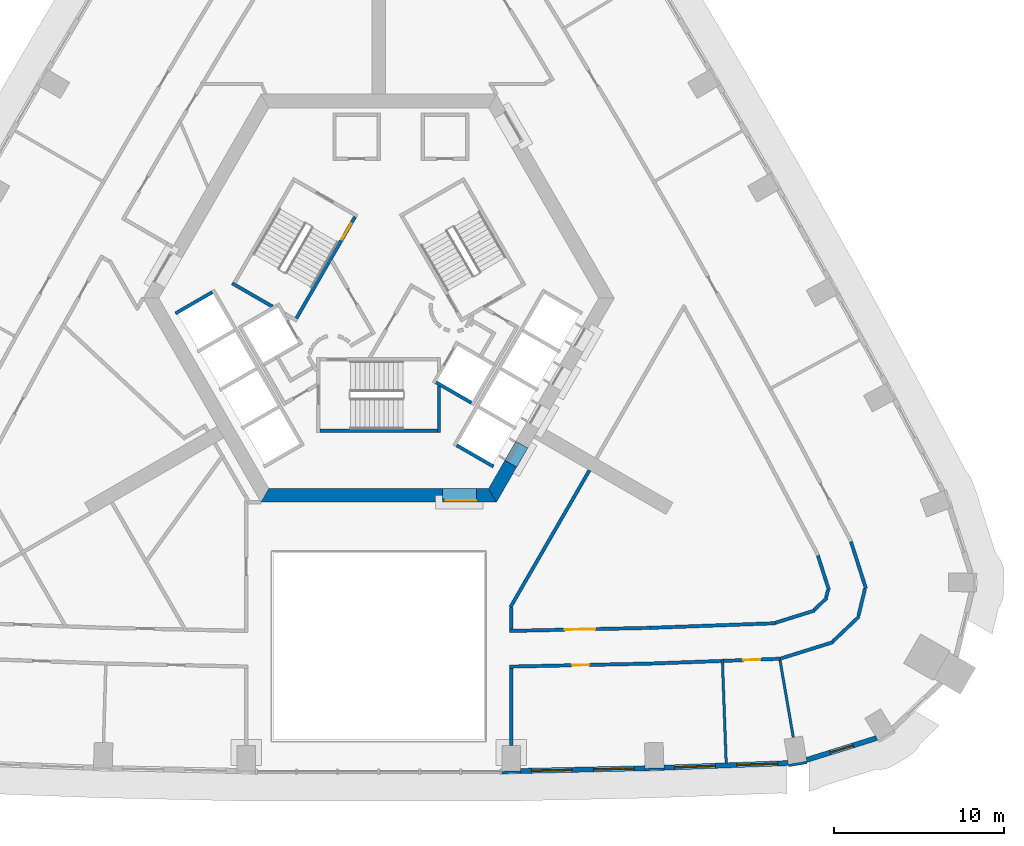
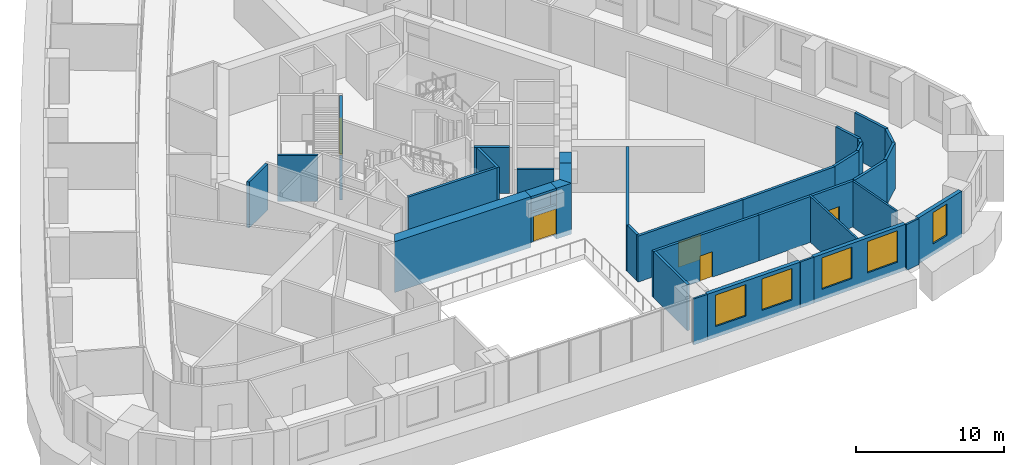
# One storey, part 6 of 17: 37 walls, 5 doors, 5 windows, 10 openings.
"""IFC4 building model written with IfcOpenShell, lengths in metres."""

from ifc_helpers import new_model, si_unit, direction, frame, frame_2d, origin, place, context, subcontext, project, spatial, polyline, rectangle, outline, extrude, material, layer, layer_set, type_object, element, fill, save


model = new_model("IFC4")

# Units and contexts
model_context = context("Model", 3, precision=1e-05, world=origin(), true_north=direction((0.0, 1.0)))
body_context = subcontext(model_context, "Body", "Model", "MODEL_VIEW")
ifc_project = project(units=[si_unit("LENGTHUNIT", "METRE"), si_unit("AREAUNIT", "SQUARE_METRE"), si_unit("VOLUMEUNIT", "CUBIC_METRE"), si_unit("PLANEANGLEUNIT", "RADIAN"), si_unit("MASSUNIT", "GRAM", prefix="KILO")], contexts=[model_context])

# Site, building, storey
site_placement = place(None, origin())
site = spatial("IfcSite", under=ifc_project, at=site_placement, CompositionType="ELEMENT")
building_placement = place(site_placement, origin())
building = spatial("IfcBuilding", under=site, at=building_placement, Name="Entoto Arch Interchange Tower", CompositionType="ELEMENT")
storey_placement = place(building_placement, frame((0.0, 0.0, 167.60009765625)))
storey = spatial("IfcBuildingStorey", under=building, at=storey_placement, Name="L37", CompositionType="ELEMENT", Elevation=167.60009765625)

# Wall, opening, door
ifc_material_1 = material(Name="Reinforced concrete C40/50", Category="concrete")
ifc_layer_1 = layer(ifc_material_1, 0.199951171875)
ifc_layer_set_1 = layer_set([ifc_layer_1], Name="Reinforced concrete C40/50")
wall_type_1 = type_object("IfcWallType", Name="CORE GAP INFILL WALL", PredefinedType="PARTITIONING", material=ifc_layer_set_1)
wall_1_placement = place(storey_placement, frame((3.75, -9.39990234375, 0.0), z_axis=(0.0, 0.0, 1.0), x_axis=(1.0, 0.0, 0.0)))
wall_1 = element("IfcWall", 1, at=wall_1_placement, inside=storey, type_object=wall_type_1, Name="wall:L37:gap1", PredefinedType="PARTITIONING", context=body_context, shape_type="SweptSolid", body=[
    extrude(rectangle(XDim=2.0, YDim=0.199951171875, at=frame_2d((1.0, 0.0))), origin(), (0.0, 0.0, 1.0), 2.39990234375),
])
opening_1_placement = place(wall_1_placement, frame((0.18994140625, 0.0, 0.0)))
opening_1 = element("IfcOpeningElement", 2, at=opening_1_placement, cuts=wall_1, Name="Opening L37-D91", PredefinedType="OPENING", context=body_context, shape_type="SweptSolid", body=[
    extrude(rectangle(XDim=1.800048828125, YDim=2.10009765625, at=frame_2d((0.89990234375, 1.050048828125))), frame((0.0, 0.10986328125, 0.0), z_axis=(0.0, -1.0, 0.0), x_axis=(1.0, 0.0, 0.0)), (0.0, 0.0, 1.0), 0.219970703125),
])
ifc_material_2 = material(Name="Fire-rated Steel S235 door and frame", Category="steel")
door_type_1 = type_object("IfcDoorType", Name="DOOR FD-18 1800x2100", OperationType="DOUBLE_DOOR_SINGLE_SWING", PredefinedType="DOOR", material=ifc_material_2)
door_1_placement = place(opening_1_placement, origin())
door_1 = element("IfcDoor", 3, at=door_1_placement, inside=storey, type_object=door_type_1, Name="door:L37:gap1", OperationType="DOUBLE_DOOR_SINGLE_SWING", OverallHeight=2.10009765625, OverallWidth=1.800048828125, PredefinedType="DOOR", context=body_context, shape_type="SweptSolid", body=[
    extrude(rectangle(XDim=1.800048828125, YDim=2.10009765625, at=frame_2d((0.89990234375, 1.050048828125))), frame((0.0, 0.02490234375, 0.0), z_axis=(0.0, -1.0, 0.0), x_axis=(1.0, 0.0, 0.0)), (0.0, 0.0, 1.0), 0.050048828125),
])
fill(opening_1, door_1)

# Walls
ifc_material_3 = material(Name="Concrete C50/60", Category="concrete")
ifc_layer_2 = layer(ifc_material_3, 0.800048828125)
ifc_layer_set_2 = layer_set([ifc_layer_2], Name="Concrete C50/60")
wall_type_2 = type_object("IfcWallType", Name="Core wall 800 C50/60", PredefinedType="SHEAR", material=ifc_layer_set_2)
wall_2_placement = place(storey_placement, frame((0.0, 0.0, -0.400146484375)))
element("IfcWall", 4, at=wall_2_placement, inside=storey, type_object=wall_type_2, Name="Core wall S L37", PredefinedType="SHEAR", context=body_context, shape_type="SweptSolid", body=[
    extrude(outline(polyline([(3.75, -9.5), (3.75, -8.699951171875), (-6.466064453125, -8.699951171875), (-6.927978515625, -9.5), (3.75, -9.5)])), origin(), (0.0, 0.0, 1.0), 4.199951171875),
])
wall_3_placement = place(storey_placement, frame((0.0, 0.0, -0.400146484375)))
element("IfcWall", 5, at=wall_3_placement, inside=storey, type_object=wall_type_2, Name="Core wall S L37", PredefinedType="SHEAR", context=body_context, shape_type="SweptSolid", body=[
    extrude(outline(polyline([(5.75, -8.699951171875), (5.75, -9.5), (6.927978515625, -9.5), (6.466064453125, -8.699951171875), (5.75, -8.699951171875)])), origin(), (0.0, 0.0, 1.0), 4.199951171875),
])
wall_4_placement = place(storey_placement, frame((0.0, 0.0, 3.599853515625)))
element("IfcWall", 6, at=wall_4_placement, inside=storey, type_object=wall_type_2, Name="Core wall lintel S L37", PredefinedType="SHEAR", context=body_context, shape_type="SweptSolid", body=[
    extrude(outline(polyline([(5.75, -9.5), (5.75, -8.699951171875), (3.75, -8.699951171875), (3.75, -9.5), (5.75, -9.5)])), origin(), (0.0, 0.0, 1.0), 0.199951171875),
])
wall_5_placement = place(storey_placement, frame((0.0, 0.0, -0.400146484375)))
element("IfcWall", 7, at=wall_5_placement, inside=storey, type_object=wall_type_2, Name="Core wall SE L37", PredefinedType="SHEAR", context=body_context, shape_type="SweptSolid", body=[
    extrude(outline(polyline([(8.116943359375, -7.43994140625), (7.424072265625, -7.0400390625), (6.466064453125, -8.699951171875), (6.927978515625, -9.5), (8.116943359375, -7.43994140625)])), origin(), (0.0, 0.0, 1.0), 4.199951171875),
])
wall_6_placement = place(storey_placement, frame((0.0, 0.0, 3.599853515625)))
element("IfcWall", 8, at=wall_6_placement, inside=storey, type_object=wall_type_2, Name="Core wall lintel SE L37", PredefinedType="SHEAR", context=body_context, shape_type="SweptSolid", body=[
    extrude(outline(polyline([(8.76708984375, -6.31396484375), (8.074951171875, -5.9140625), (7.424072265625, -7.0400390625), (8.116943359375, -7.43994140625), (8.76708984375, -6.31396484375)])), origin(), (0.0, 0.0, 1.0), 0.199951171875),
])
ifc_material_4 = material(Name="Concrete C40/50", Category="concrete")
ifc_layer_3 = layer(ifc_material_4, 0.199951171875)
ifc_layer_set_3 = layer_set([ifc_layer_3], Name="Concrete C40/50")
wall_type_3 = type_object("IfcWallType", Name="LIFT SHAFT WALL 200", PredefinedType="STANDARD", material=ifc_layer_set_3)
wall_7_placement = place(storey_placement, frame((-9.7880859375, 2.85302734375, 0.0), z_axis=(0.0, 0.0, 1.0), x_axis=(-0.865998541277, -0.500046524342, 0.0)))
element("IfcWall", 9, at=wall_7_placement, inside=storey, type_object=wall_type_3, Name="Shaft wall SW3 cross 1", PredefinedType="STANDARD", context=body_context, shape_type="SweptSolid", body=[
    extrude(rectangle(XDim=2.499755859375, YDim=0.199951171875, at=frame_2d((1.25, 0.0))), origin(), (0.0, 0.0, 1.0), 3.7998046875),
])
wall_8_placement = place(storey_placement, frame((3.376953125, -2.451904296875, 0.0), z_axis=(0.0, 0.0, 1.0), x_axis=(0.865955154139, -0.50012165622, 0.0)))
element("IfcWall", 10, at=wall_8_placement, inside=storey, type_object=wall_type_3, Name="Shaft wall SE1 cross 1", PredefinedType="STANDARD", context=body_context, shape_type="SweptSolid", body=[
    extrude(rectangle(XDim=2.39990234375, YDim=0.199951171875, at=frame_2d((1.199951171875, 0.0))), origin(), (0.0, 0.0, 1.0), 3.7998046875),
])
wall_9_placement = place(storey_placement, frame((4.587890625, -6.153076171875, 0.0), z_axis=(0.0, 0.0, 1.0), x_axis=(0.866022959057, -0.500004234368, 0.0)))
element("IfcWall", 11, at=wall_9_placement, inside=storey, type_object=wall_type_3, Name="Shaft wall SE3 cross 1", PredefinedType="STANDARD", context=body_context, shape_type="SweptSolid", body=[
    extrude(rectangle(XDim=2.5, YDim=0.199951171875, at=frame_2d((1.25, 0.0))), origin(), (0.0, 0.0, 1.0), 3.7998046875),
])
ifc_material_5 = material(Name="Gypsum board partition on steel studs", Category="steel")
ifc_layer_4 = layer(ifc_material_5, 0.14990234375)
ifc_layer_set_4 = layer_set([ifc_layer_4], Name="Gypsum board partition on steel studs")
wall_type_4 = type_object("IfcWallType", Name="PARTITION 150", PredefinedType="PARTITIONING", material=ifc_layer_set_4)
wall_10_placement = place(storey_placement, frame((20.215087890625, -18.738037109375, 0.0), z_axis=(0.0, 0.0, 1.0), x_axis=(0.037020542149, -0.999314504778, 0.0)))
element("IfcWall", 12, at=wall_10_placement, inside=storey, type_object=wall_type_4, Name="wall:L37:p134", PredefinedType="PARTITIONING", context=body_context, shape_type="SweptSolid", body=[
    extrude(rectangle(XDim=6.10009765625, YDim=0.14990234375, at=frame_2d((3.050048828125, 0.0))), origin(), (0.0, 0.0, 1.0), 3.7998046875),
])
wall_11_placement = place(storey_placement, frame((23.577880859375, -18.614013671875, 0.0), z_axis=(0.0, 0.0, 1.0), x_axis=(0.169054430835, -0.985606716401, 0.0)))
element("IfcWall", 13, at=wall_11_placement, inside=storey, type_object=wall_type_4, Name="wall:L37:p135", PredefinedType="PARTITIONING", context=body_context, shape_type="SweptSolid", body=[
    extrude(rectangle(XDim=4.785888671875, YDim=0.14990234375, at=frame_2d((2.39306640625, 0.0))), origin(), (0.0, 0.0, 1.0), 3.7998046875),
])

# Wall, opening, door
ifc_layer_5 = layer(ifc_material_5, 0.199951171875)
ifc_layer_set_5 = layer_set([ifc_layer_5], Name="Gypsum board partition on steel studs")
wall_type_5 = type_object("IfcWallType", Name="PARTITION 200", PredefinedType="PARTITIONING", material=ifc_layer_set_5)
wall_12_placement = place(storey_placement, frame((7.699951171875, -17.072998046875, 0.0), z_axis=(0.0, 0.0, 1.0), x_axis=(0.999764372799, 0.021707115919, 0.0)))
wall_12 = element("IfcWall", 14, at=wall_12_placement, inside=storey, type_object=wall_type_5, Name="wall:L37:p018", PredefinedType="PARTITIONING", context=body_context, shape_type="SweptSolid", body=[
    extrude(rectangle(XDim=8.2890625, YDim=0.199951171875, at=frame_2d((4.14453125, 0.0))), origin(), (0.0, 0.0, 1.0), 3.7998046875),
])
opening_2_placement = place(wall_12_placement, frame((3.2451171875, 0.0, 0.0)))
opening_2 = element("IfcOpeningElement", 15, at=opening_2_placement, cuts=wall_12, Name="Opening L37-D15", PredefinedType="OPENING", context=body_context, shape_type="SweptSolid", body=[
    extrude(rectangle(XDim=1.800048828125, YDim=2.10009765625, at=frame_2d((0.89990234375, 1.050048828125))), frame((0.0, 0.10986328125, 0.0), z_axis=(0.0, -1.0, 0.0), x_axis=(1.0, 0.0, 0.0)), (0.0, 0.0, 1.0), 0.219970703125),
])
ifc_material_6 = material(Name="Timber door leaf in Steel S235 frame", Category="steel")
door_type_2 = type_object("IfcDoorType", Name="DOOR DD-18 1800x2100", OperationType="DOUBLE_DOOR_SINGLE_SWING", PredefinedType="DOOR", material=ifc_material_6)
door_2_placement = place(opening_2_placement, origin())
door_2 = element("IfcDoor", 16, at=door_2_placement, inside=storey, type_object=door_type_2, Name="door:L37:15", OperationType="DOUBLE_DOOR_SINGLE_SWING", OverallHeight=2.10009765625, OverallWidth=1.800048828125, PredefinedType="DOOR", context=body_context, shape_type="SweptSolid", body=[
    extrude(rectangle(XDim=1.800048828125, YDim=2.10009765625, at=frame_2d((0.89990234375, 1.050048828125))), frame((0.0, 0.02490234375, 0.0), z_axis=(0.0, -1.0, 0.0), x_axis=(1.0, 0.0, 0.0)), (0.0, 0.0, 1.0), 0.050048828125),
])
fill(opening_2, door_2)

# Walls
wall_13_placement = place(storey_placement, frame((15.987060546875, -16.89306640625, 0.0), z_axis=(0.0, 0.0, 1.0), x_axis=(0.999316060953, 0.036978511606, 0.0)))
element("IfcWall", 17, at=wall_13_placement, inside=storey, type_object=wall_type_5, Name="wall:L37:p019", PredefinedType="PARTITIONING", context=body_context, shape_type="SweptSolid", body=[
    extrude(rectangle(XDim=7.35498046875, YDim=0.199951171875, at=frame_2d((3.677490234375, 0.0))), origin(), (0.0, 0.0, 1.0), 3.7998046875),
])
wall_14_placement = place(storey_placement, frame((23.3330078125, -16.594970703125, 0.0), z_axis=(0.0, 0.0, 1.0), x_axis=(0.95454810771, 0.298056890655, 0.0)))
element("IfcWall", 18, at=wall_14_placement, inside=storey, type_object=wall_type_5, Name="wall:L37:p020", PredefinedType="PARTITIONING", context=body_context, shape_type="SweptSolid", body=[
    extrude(rectangle(XDim=2.422119140625, YDim=0.199951171875, at=frame_2d((1.2109375, 0.0))), origin(), (0.0, 0.0, 1.0), 3.7998046875),
])
wall_15_placement = place(storey_placement, frame((25.6220703125, -15.833984375, 0.0), z_axis=(0.0, 0.0, 1.0), x_axis=(0.725069777966, 0.688675407634, 0.0)))
element("IfcWall", 19, at=wall_15_placement, inside=storey, type_object=wall_type_5, Name="wall:L37:p021", PredefinedType="PARTITIONING", context=body_context, shape_type="SweptSolid", body=[
    extrude(rectangle(XDim=1.039794921875, YDim=0.199951171875, at=frame_2d((0.52001953125, 0.0))), origin(), (0.0, 0.0, 1.0), 3.7998046875),
])
wall_16_placement = place(storey_placement, frame((26.326904296875, -15.089111328125, 0.0), z_axis=(0.0, 0.0, 1.0), x_axis=(0.233414791565, 0.972377259647, 0.0)))
element("IfcWall", 20, at=wall_16_placement, inside=storey, type_object=wall_type_5, Name="wall:L37:p022", PredefinedType="PARTITIONING", context=body_context, shape_type="SweptSolid", body=[
    extrude(rectangle(XDim=0.44140625, YDim=0.199951171875, at=frame_2d((0.220703125, 0.0))), origin(), (0.0, 0.0, 1.0), 3.7998046875),
])
wall_17_placement = place(storey_placement, frame((26.48388671875, -14.657958984375, 0.0), z_axis=(0.0, 0.0, 1.0), x_axis=(-0.305169069368, 0.952298188122, 0.0)))
element("IfcWall", 21, at=wall_17_placement, inside=storey, type_object=wall_type_5, Name="wall:L37:p023", PredefinedType="PARTITIONING", context=body_context, shape_type="SweptSolid", body=[
    extrude(rectangle(XDim=2.116943359375, YDim=0.199951171875, at=frame_2d((1.05859375, 0.0))), origin(), (0.0, 0.0, 1.0), 3.7998046875),
])
wall_18_placement = place(storey_placement, frame((20.14306640625, -18.841064453125, 0.0), z_axis=(0.0, 0.0, 1.0), x_axis=(-0.999321592708, -0.036828716339, 0.0)))
element("IfcWall", 22, at=wall_18_placement, inside=storey, type_object=wall_type_5, Name="wall:L37:p043", PredefinedType="PARTITIONING", context=body_context, shape_type="SweptSolid", body=[
    extrude(rectangle(XDim=4.0966796875, YDim=0.199951171875, at=frame_2d((2.04833984375, 0.0))), origin(), (0.0, 0.0, 1.0), 3.7998046875),
])

# Wall, opening, door
wall_19_placement = place(storey_placement, frame((16.049072265625, -18.991943359375, 0.0), z_axis=(0.0, 0.0, 1.0), x_axis=(-0.999762156504, -0.021808952826, 0.0)))
wall_19 = element("IfcWall", 23, at=wall_19_placement, inside=storey, type_object=wall_type_5, Name="wall:L37:p044", PredefinedType="PARTITIONING", context=body_context, shape_type="SweptSolid", body=[
    extrude(rectangle(XDim=8.35107421875, YDim=0.199951171875, at=frame_2d((4.175537109375, 0.0))), origin(), (0.0, 0.0, 1.0), 3.7998046875),
])
opening_3_placement = place(wall_19_placement, frame((3.675048828125, 0.0, 0.0)))
opening_3 = element("IfcOpeningElement", 24, at=opening_3_placement, cuts=wall_19, Name="Opening L37-D01", PredefinedType="OPENING", context=body_context, shape_type="SweptSolid", body=[
    extrude(rectangle(XDim=1.0, YDim=2.10009765625, at=frame_2d((0.5, 1.050048828125))), frame((0.0, 0.10986328125, 0.0), z_axis=(0.0, -1.0, 0.0), x_axis=(1.0, 0.0, 0.0)), (0.0, 0.0, 1.0), 0.219970703125),
])
door_type_3 = type_object("IfcDoorType", Name="DOOR DS-10 1000x2100", OperationType="SINGLE_SWING_LEFT", PredefinedType="DOOR", material=ifc_material_6)
door_3_placement = place(opening_3_placement, origin())
door_3 = element("IfcDoor", 25, at=door_3_placement, inside=storey, type_object=door_type_3, Name="door:L37:01", OperationType="SINGLE_SWING_RIGHT", OverallHeight=2.10009765625, OverallWidth=1.0, PredefinedType="DOOR", context=body_context, shape_type="SweptSolid", body=[
    extrude(rectangle(XDim=1.0, YDim=2.10009765625, at=frame_2d((0.5, 1.050048828125))), frame((0.0, 0.02490234375, 0.0), z_axis=(0.0, -1.0, 0.0), x_axis=(1.0, 0.0, 0.0)), (0.0, 0.0, 1.0), 0.050048828125),
])
fill(opening_3, door_3)

wall_20_placement = place(storey_placement, frame((23.6201171875, -18.7119140625, 0.0), z_axis=(0.0, 0.0, 1.0), x_axis=(-0.999316841287, -0.03695741767, 0.0)))
wall_20 = element("IfcWall", 26, at=wall_20_placement, inside=storey, type_object=wall_type_5, Name="wall:L37:p045", PredefinedType="PARTITIONING", context=body_context, shape_type="SweptSolid", body=[
    extrude(rectangle(XDim=3.329345703125, YDim=0.199951171875, at=frame_2d((1.66455078125, 0.0))), origin(), (0.0, 0.0, 1.0), 3.7998046875),
])
opening_4_placement = place(wall_20_placement, frame((1.1650390625, 0.0, 0.0)))
opening_4 = element("IfcOpeningElement", 27, at=opening_4_placement, cuts=wall_20, Name="Opening L37-D02", PredefinedType="OPENING", context=body_context, shape_type="SweptSolid", body=[
    extrude(rectangle(XDim=1.0, YDim=2.10009765625, at=frame_2d((0.5, 1.050048828125))), frame((0.0, 0.10986328125, 0.0), z_axis=(0.0, -1.0, 0.0), x_axis=(1.0, 0.0, 0.0)), (0.0, 0.0, 1.0), 0.219970703125),
])
door_4_placement = place(opening_4_placement, origin())
door_4 = element("IfcDoor", 28, at=door_4_placement, inside=storey, type_object=door_type_3, Name="door:L37:02", OperationType="SINGLE_SWING_LEFT", OverallHeight=2.10009765625, OverallWidth=1.0, PredefinedType="DOOR", context=body_context, shape_type="SweptSolid", body=[
    extrude(rectangle(XDim=1.0, YDim=2.10009765625, at=frame_2d((0.5, 1.050048828125))), frame((0.0, 0.02490234375, 0.0), z_axis=(0.0, -1.0, 0.0), x_axis=(1.0, 0.0, 0.0)), (0.0, 0.0, 1.0), 0.050048828125),
])
fill(opening_4, door_4)

# Walls
wall_21_placement = place(storey_placement, frame((27.781982421875, -11.824951171875, 0.0), z_axis=(0.0, 0.0, 1.0), x_axis=(0.304925942137, -0.952376065329, 0.0)))
element("IfcWall", 29, at=wall_21_placement, inside=storey, type_object=wall_type_5, Name="wall:L37:p048", PredefinedType="PARTITIONING", context=body_context, shape_type="SweptSolid", body=[
    extrude(rectangle(XDim=2.8896484375, YDim=0.199951171875, at=frame_2d((1.44482421875, 0.0))), origin(), (0.0, 0.0, 1.0), 3.7998046875),
])
wall_22_placement = place(storey_placement, frame((28.60888671875, -14.5791015625, 0.0), z_axis=(0.0, 0.0, 1.0), x_axis=(-0.233826017197, -0.972278454807, 0.0)))
element("IfcWall", 30, at=wall_22_placement, inside=storey, type_object=wall_type_5, Name="wall:L37:p049", PredefinedType="PARTITIONING", context=body_context, shape_type="SweptSolid", body=[
    extrude(rectangle(XDim=1.650634765625, YDim=0.199951171875, at=frame_2d((0.8251953125, 0.0))), origin(), (0.0, 0.0, 1.0), 3.7998046875),
])
wall_23_placement = place(storey_placement, frame((28.27197265625, -16.2119140625, 0.0), z_axis=(0.0, 0.0, 1.0), x_axis=(-0.724712974479, -0.689050872303, 0.0)))
element("IfcWall", 31, at=wall_23_placement, inside=storey, type_object=wall_type_5, Name="wall:L37:p050", PredefinedType="PARTITIONING", context=body_context, shape_type="SweptSolid", body=[
    extrude(rectangle(XDim=2.149658203125, YDim=0.199951171875, at=frame_2d((1.07470703125, 0.0))), origin(), (0.0, 0.0, 1.0), 3.7998046875),
])
wall_24_placement = place(storey_placement, frame((26.737060546875, -17.73193359375, 0.0), z_axis=(0.0, 0.0, 1.0), x_axis=(-0.954546657381, -0.298061535398, 0.0)))
element("IfcWall", 32, at=wall_24_placement, inside=storey, type_object=wall_type_5, Name="wall:L37:p051", PredefinedType="PARTITIONING", context=body_context, shape_type="SweptSolid", body=[
    extrude(rectangle(XDim=3.191162109375, YDim=0.199951171875, at=frame_2d((1.595703125, 0.0))), origin(), (0.0, 0.0, 1.0), 3.7998046875),
])
wall_25_placement = place(storey_placement, frame((7.800048828125, -15.68994140625, 0.0), z_axis=(0.0, 0.0, 1.0), x_axis=(0.0, -1.0, 0.0)))
element("IfcWall", 33, at=wall_25_placement, inside=storey, type_object=wall_type_5, Name="wall:L37:p116", PredefinedType="PARTITIONING", context=body_context, shape_type="SweptSolid", body=[
    extrude(rectangle(XDim=1.281005859375, YDim=0.199951171875, at=frame_2d((0.640625, 0.0))), origin(), (0.0, 0.0, 1.0), 3.7998046875),
])
wall_26_placement = place(storey_placement, frame((7.800048828125, -19.27197265625, 0.0), z_axis=(0.0, 0.0, 1.0), x_axis=(0.0, -1.0, 0.0)))
element("IfcWall", 34, at=wall_26_placement, inside=storey, type_object=wall_type_5, Name="wall:L37:p119", PredefinedType="PARTITIONING", context=body_context, shape_type="SweptSolid", body=[
    extrude(rectangle(XDim=4.531005859375, YDim=0.199951171875, at=frame_2d((2.265625, 0.0))), origin(), (0.0, 0.0, 1.0), 3.7998046875),
])
wall_27_placement = place(storey_placement, frame((12.40087890625, -7.62109375, 0.0), z_axis=(0.0, 0.0, 1.0), x_axis=(-0.499983724212, -0.866034800411, 0.0)))
element("IfcWall", 35, at=wall_27_placement, inside=storey, type_object=wall_type_5, Name="wall:L37:p121", PredefinedType="PARTITIONING", context=body_context, shape_type="SweptSolid", body=[
    extrude(rectangle(XDim=9.302001953125, YDim=0.199951171875, at=frame_2d((4.65087890625, 0.0))), origin(), (0.0, 0.0, 1.0), 3.7998046875),
])
ifc_layer_6 = layer(ifc_material_4, 0.199951171875)
ifc_layer_set_6 = layer_set([ifc_layer_6], Name="Concrete C40/50")
wall_type_6 = type_object("IfcWallType", Name="STAIR ENCLOSURE WALL 200", PredefinedType="STANDARD", material=ifc_layer_set_6)
wall_28_placement = place(storey_placement, frame((3.550048828125, -2.6669921875, 0.0), z_axis=(0.0, 0.0, 1.0), x_axis=(0.0, -1.0, 0.0)))
element("IfcWall", 36, at=wall_28_placement, inside=storey, type_object=wall_type_6, Name="Stair wall ST-S far", PredefinedType="STANDARD", context=body_context, shape_type="SweptSolid", body=[
    extrude(rectangle(XDim=2.73291015625, YDim=0.199951171875, at=frame_2d((1.366455078125, 0.0))), origin(), (0.0, 0.0, 1.0), 3.7998046875),
])
wall_29_placement = place(storey_placement, frame((-3.449951171875, -5.300048828125, 0.0), z_axis=(0.0, 0.0, 1.0), x_axis=(1.0, 0.0, 0.0)))
element("IfcWall", 37, at=wall_29_placement, inside=storey, type_object=wall_type_6, Name="Stair wall ST-S back", PredefinedType="STANDARD", context=body_context, shape_type="SweptSolid", body=[
    extrude(rectangle(XDim=6.89990234375, YDim=0.199951171875, at=frame_2d((3.449951171875, 0.0))), origin(), (0.0, 0.0, 1.0), 3.7998046875),
])
wall_30_placement = place(storey_placement, frame((-6.25, 2.010009765625, 0.0), z_axis=(0.0, 0.0, 1.0), x_axis=(-0.86611865017, 0.499838457731, 0.0)))
element("IfcWall", 38, at=wall_30_placement, inside=storey, type_object=wall_type_6, Name="Stair wall ST-NW far", PredefinedType="STANDARD", context=body_context, shape_type="SweptSolid", body=[
    extrude(rectangle(XDim=2.73291015625, YDim=0.199951171875, at=frame_2d((1.366455078125, 0.0))), origin(), (0.0, 0.0, 1.0), 3.7998046875),
])

# Wall, opening, door
wall_31_placement = place(storey_placement, frame((-1.39306640625, 7.2880859375, 0.0), z_axis=(0.0, 0.0, 1.0), x_axis=(-0.499963383562, -0.866046543262, 0.0)))
wall_31 = element("IfcWall", 39, at=wall_31_placement, inside=storey, type_object=wall_type_6, Name="Stair wall ST-NW hall", PredefinedType="STANDARD", context=body_context, shape_type="SweptSolid", body=[
    extrude(rectangle(XDim=6.900390625, YDim=0.199951171875, at=frame_2d((3.4501953125, 0.0))), origin(), (0.0, 0.0, 1.0), 3.7998046875),
])
opening_5_placement = place(wall_31_placement, frame((0.449951171875, 0.0, 0.0)))
opening_5 = element("IfcOpeningElement", 40, at=opening_5_placement, cuts=wall_31, Name="Opening SD-ST-NW-L37", PredefinedType="OPENING", context=body_context, shape_type="SweptSolid", body=[
    extrude(rectangle(XDim=1.10009765625, YDim=2.199951171875, at=frame_2d((0.550048828125, 1.10009765625))), frame((0.0, 0.10986328125, 0.0), z_axis=(0.0, -1.0, 0.0), x_axis=(1.0, 0.0, 0.0)), (0.0, 0.0, 1.0), 0.219970703125),
])
ifc_material_7 = material(Name="Steel S235", Category="steel")
door_type_4 = type_object("IfcDoorType", Name="STAIR DOOR SD1 1100x2200", OperationType="SINGLE_SWING_LEFT", PredefinedType="DOOR", material=ifc_material_7)
door_5_placement = place(opening_5_placement, origin())
door_5 = element("IfcDoor", 41, at=door_5_placement, inside=storey, type_object=door_type_4, Name="Stair door ST-NW L37", OperationType="SINGLE_SWING_LEFT", OverallHeight=2.199951171875, OverallWidth=1.10009765625, PredefinedType="DOOR", context=body_context, shape_type="SweptSolid", body=[
    extrude(rectangle(XDim=1.10009765625, YDim=2.199951171875, at=frame_2d((0.550048828125, 1.10009765625))), frame((0.0, 0.02490234375, 0.0), z_axis=(0.0, -1.0, 0.0), x_axis=(1.0, 0.0, 0.0)), (0.0, 0.0, 1.0), 0.050048828125),
])
fill(opening_5, door_5)

# Wall, openings, windows
ifc_material_8 = material(Name="Welded tuff (ignimbrite) cladding, warm buff", Category="masonry")
ifc_layer_7 = layer(ifc_material_8, 0.300048828125)
ifc_layer_set_7 = layer_set([ifc_layer_7], Name="Welded tuff (ignimbrite) cladding, warm buff")
wall_type_7 = type_object("IfcWallType", Name="STONE INFILL WALL 300", PredefinedType="STANDARD", material=ifc_layer_set_7)
wall_32_placement = place(storey_placement, frame((8.346923828125, -25.31103515625, 0.0), z_axis=(0.0, 0.0, 1.0), x_axis=(0.999765201774, 0.021668902196, 0.0)))
wall_32 = element("IfcWall", 42, at=wall_32_placement, inside=storey, type_object=wall_type_7, Name="Facade wall S-04 L37", PredefinedType="STANDARD", context=body_context, shape_type="SweptSolid", body=[
    extrude(rectangle(XDim=7.334716796875, YDim=0.300048828125, at=frame_2d((3.66748046875, 0.0))), origin(), (0.0, 0.0, 1.0), 3.7998046875),
])
opening_6_placement = place(wall_32_placement, frame((0.634033203125, 0.0, 0.89990234375)))
opening_6 = element("IfcOpeningElement", 43, at=opening_6_placement, cuts=wall_32, Name="Opening WO-A", PredefinedType="OPENING", context=body_context, shape_type="SweptSolid", body=[
    extrude(rectangle(XDim=2.39990234375, YDim=2.60009765625, at=frame_2d((1.199951171875, 1.300048828125))), frame((0.0, 0.16015625, 0.0), z_axis=(0.0, -1.0, 0.0), x_axis=(1.0, 0.0, 0.0)), (0.0, 0.0, 1.0), 0.320068359375),
])
opening_7_placement = place(wall_32_placement, frame((4.301025390625, 0.0, 0.89990234375)))
opening_7 = element("IfcOpeningElement", 44, at=opening_7_placement, cuts=wall_32, Name="Opening WO-A", PredefinedType="OPENING", context=body_context, shape_type="SweptSolid", body=[
    extrude(rectangle(XDim=2.39990234375, YDim=2.60009765625, at=frame_2d((1.199951171875, 1.300048828125))), frame((0.0, 0.16015625, 0.0), z_axis=(0.0, -1.0, 0.0), x_axis=(1.0, 0.0, 0.0)), (0.0, 0.0, 1.0), 0.320068359375),
])
ifc_material_9 = material(Name="Clear glass, low-e double glazed", Category="glass")
window_type_1 = type_object("IfcWindowType", Name="WINDOW WO-A 2400x2600", PartitioningType="DOUBLE_PANEL_VERTICAL", PredefinedType="WINDOW", material=ifc_material_9)
window_1_placement = place(opening_6_placement, origin())
window_1 = element("IfcWindow", 45, at=window_1_placement, inside=storey, type_object=window_type_1, Name="Window WO-A S-04 L37", OverallHeight=2.60009765625, OverallWidth=2.39990234375, PartitioningType="SINGLE_PANEL", PredefinedType="WINDOW", context=body_context, shape_type="SweptSolid", body=[
    extrude(rectangle(XDim=2.39990234375, YDim=2.60009765625, at=frame_2d((1.199951171875, 1.300048828125))), frame((0.0, 0.030029296875, 0.0), z_axis=(0.0, -1.0, 0.0), x_axis=(1.0, 0.0, 0.0)), (0.0, 0.0, 1.0), 0.06005859375),
])
fill(opening_6, window_1)
window_2_placement = place(opening_7_placement, origin())
window_2 = element("IfcWindow", 46, at=window_2_placement, inside=storey, type_object=window_type_1, Name="Window WO-A S-04 L37", OverallHeight=2.60009765625, OverallWidth=2.39990234375, PartitioningType="SINGLE_PANEL", PredefinedType="WINDOW", context=body_context, shape_type="SweptSolid", body=[
    extrude(rectangle(XDim=2.39990234375, YDim=2.60009765625, at=frame_2d((1.199951171875, 1.300048828125))), frame((0.0, 0.030029296875, 0.0), z_axis=(0.0, -1.0, 0.0), x_axis=(1.0, 0.0, 0.0)), (0.0, 0.0, 1.0), 0.06005859375),
])
fill(opening_7, window_2)

wall_33_placement = place(storey_placement, frame((16.778076171875, -25.1201171875, 0.0), z_axis=(0.0, 0.0, 1.0), x_axis=(0.999307730926, 0.037202942236, 0.0)))
wall_33 = element("IfcWall", 47, at=wall_33_placement, inside=storey, type_object=wall_type_7, Name="Facade wall S-05 L37", PredefinedType="STANDARD", context=body_context, shape_type="SweptSolid", body=[
    extrude(rectangle(XDim=7.317138671875, YDim=0.300048828125, at=frame_2d((3.65869140625, 0.0))), origin(), (0.0, 0.0, 1.0), 3.7998046875),
])
opening_8_placement = place(wall_33_placement, frame((0.62890625, 0.0, 0.89990234375)))
opening_8 = element("IfcOpeningElement", 48, at=opening_8_placement, cuts=wall_33, Name="Opening WO-A", PredefinedType="OPENING", context=body_context, shape_type="SweptSolid", body=[
    extrude(rectangle(XDim=2.39990234375, YDim=2.60009765625, at=frame_2d((1.199951171875, 1.300048828125))), frame((0.0, 0.16015625, 0.0), z_axis=(0.0, -1.0, 0.0), x_axis=(1.0, 0.0, 0.0)), (0.0, 0.0, 1.0), 0.320068359375),
])
opening_9_placement = place(wall_33_placement, frame((4.2880859375, 0.0, 0.89990234375)))
opening_9 = element("IfcOpeningElement", 49, at=opening_9_placement, cuts=wall_33, Name="Opening WO-A", PredefinedType="OPENING", context=body_context, shape_type="SweptSolid", body=[
    extrude(rectangle(XDim=2.39990234375, YDim=2.60009765625, at=frame_2d((1.199951171875, 1.300048828125))), frame((0.0, 0.16015625, 0.0), z_axis=(0.0, -1.0, 0.0), x_axis=(1.0, 0.0, 0.0)), (0.0, 0.0, 1.0), 0.320068359375),
])
window_3_placement = place(opening_8_placement, origin())
window_3 = element("IfcWindow", 50, at=window_3_placement, inside=storey, type_object=window_type_1, Name="Window WO-A S-05 L37", OverallHeight=2.60009765625, OverallWidth=2.39990234375, PartitioningType="SINGLE_PANEL", PredefinedType="WINDOW", context=body_context, shape_type="SweptSolid", body=[
    extrude(rectangle(XDim=2.39990234375, YDim=2.60009765625, at=frame_2d((1.199951171875, 1.300048828125))), frame((0.0, 0.030029296875, 0.0), z_axis=(0.0, -1.0, 0.0), x_axis=(1.0, 0.0, 0.0)), (0.0, 0.0, 1.0), 0.06005859375),
])
fill(opening_8, window_3)
window_4_placement = place(opening_9_placement, origin())
window_4 = element("IfcWindow", 51, at=window_4_placement, inside=storey, type_object=window_type_1, Name="Window WO-A S-05 L37", OverallHeight=2.60009765625, OverallWidth=2.39990234375, PartitioningType="SINGLE_PANEL", PredefinedType="WINDOW", context=body_context, shape_type="SweptSolid", body=[
    extrude(rectangle(XDim=2.39990234375, YDim=2.60009765625, at=frame_2d((1.199951171875, 1.300048828125))), frame((0.0, 0.030029296875, 0.0), z_axis=(0.0, -1.0, 0.0), x_axis=(1.0, 0.0, 0.0)), (0.0, 0.0, 1.0), 0.06005859375),
])
fill(opening_9, window_4)

# Wall, opening, window
wall_34_placement = place(storey_placement, frame((25.172119140625, -24.6630859375, 0.0), z_axis=(0.0, 0.0, 1.0), x_axis=(0.954628614874, 0.29779893832, 0.0)))
wall_34 = element("IfcWall", 52, at=wall_34_placement, inside=storey, type_object=wall_type_7, Name="Facade wall SE-01 L37", PredefinedType="STANDARD", context=body_context, shape_type="SweptSolid", body=[
    extrude(rectangle(XDim=4.322021484375, YDim=0.300048828125, at=frame_2d((2.1611328125, 0.0))), origin(), (0.0, 0.0, 1.0), 3.7998046875),
])
opening_10_placement = place(wall_34_placement, frame((1.4609375, 0.0, 0.89990234375)))
opening_10 = element("IfcOpeningElement", 53, at=opening_10_placement, cuts=wall_34, Name="Opening WO-B", PredefinedType="OPENING", context=body_context, shape_type="SweptSolid", body=[
    extrude(rectangle(XDim=1.39990234375, YDim=2.60009765625, at=frame_2d((0.699951171875, 1.300048828125))), frame((0.0, 0.16015625, 0.0), z_axis=(0.0, -1.0, 0.0), x_axis=(1.0, 0.0, 0.0)), (0.0, 0.0, 1.0), 0.320068359375),
])
window_type_2 = type_object("IfcWindowType", Name="WINDOW WO-B 1400x2600", PartitioningType="DOUBLE_PANEL_VERTICAL", PredefinedType="WINDOW", material=ifc_material_9)
window_5_placement = place(opening_10_placement, origin())
window_5 = element("IfcWindow", 54, at=window_5_placement, inside=storey, type_object=window_type_2, Name="Window WO-B SE-01 L37", OverallHeight=2.60009765625, OverallWidth=1.39990234375, PartitioningType="SINGLE_PANEL", PredefinedType="WINDOW", context=body_context, shape_type="SweptSolid", body=[
    extrude(rectangle(XDim=1.39990234375, YDim=2.60009765625, at=frame_2d((0.699951171875, 1.300048828125))), frame((0.0, 0.030029296875, 0.0), z_axis=(0.0, -1.0, 0.0), x_axis=(1.0, 0.0, 0.0)), (0.0, 0.0, 1.0), 0.06005859375),
])
fill(opening_10, window_5)

# Walls
ifc_layer_8 = layer(ifc_material_8, 0.14990234375)
ifc_layer_set_8 = layer_set([ifc_layer_8], Name="Welded tuff (ignimbrite) cladding, warm buff")
wall_type_8 = type_object("IfcWallType", Name="STONE PIER CLADDING 150", PredefinedType="STANDARD", material=ifc_layer_set_8)
wall_35_placement = place(storey_placement, frame((7.2490234375, -25.404052734375, 0.0), z_axis=(0.0, 0.0, 1.0), x_axis=(0.999940879068, 0.010873746799, 0.0)))
element("IfcWall", 55, at=wall_35_placement, inside=storey, type_object=wall_type_8, Name="Stone pier S04 L37", PredefinedType="STANDARD", context=body_context, shape_type="SweptSolid", body=[
    extrude(rectangle(XDim=1.10009765625, YDim=0.14990234375, at=frame_2d((0.550048828125, 0.0))), origin(), (0.0, 0.0, 1.0), 3.7998046875),
])
wall_36_placement = place(storey_placement, frame((15.681884765625, -25.23193359375, 0.0), z_axis=(0.0, 0.0, 1.0), x_axis=(0.999523702549, 0.030860460829, 0.0)))
element("IfcWall", 56, at=wall_36_placement, inside=storey, type_object=wall_type_8, Name="Stone pier S05 L37", PredefinedType="STANDARD", context=body_context, shape_type="SweptSolid", body=[
    extrude(rectangle(XDim=1.099609375, YDim=0.14990234375, at=frame_2d((0.5498046875, 0.0))), origin(), (0.0, 0.0, 1.0), 3.7998046875),
])
wall_37_placement = place(storey_placement, frame((24.114013671875, -24.99609375, 0.0), z_axis=(0.0, 0.0, 1.0), x_axis=(0.985763338892, 0.168138751323, 0.0)))
element("IfcWall", 57, at=wall_37_placement, inside=storey, type_object=wall_type_8, Name="Stone pier S06 L37", PredefinedType="STANDARD", context=body_context, shape_type="SweptSolid", body=[
    extrude(rectangle(XDim=1.1005859375, YDim=0.14990234375, at=frame_2d((0.55029296875, 0.0))), origin(), (0.0, 0.0, 1.0), 3.7998046875),
])

save(model, "model.ifc")
